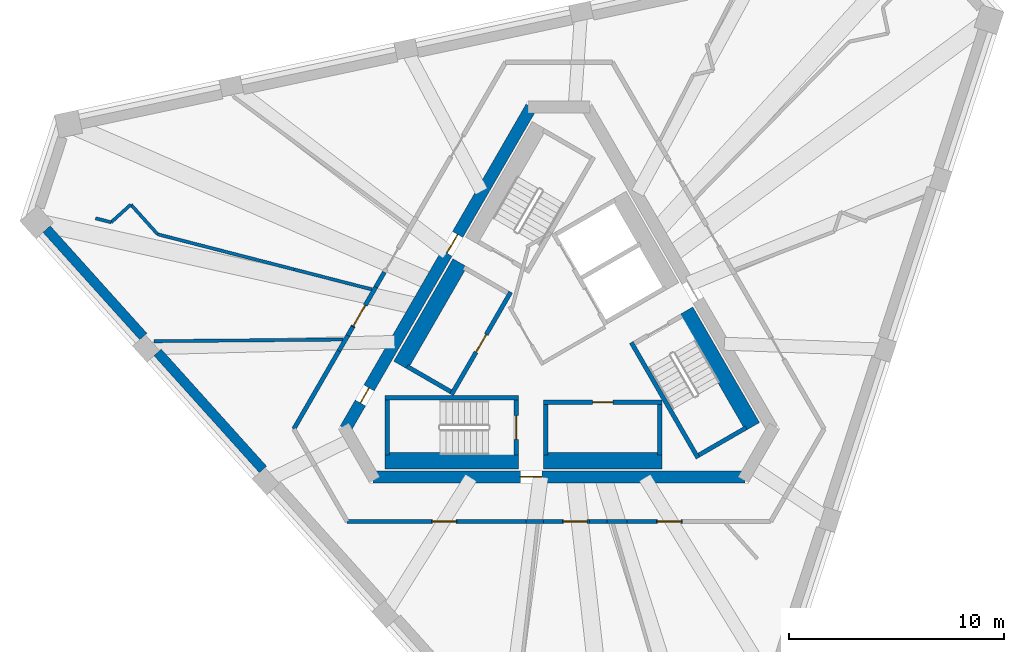
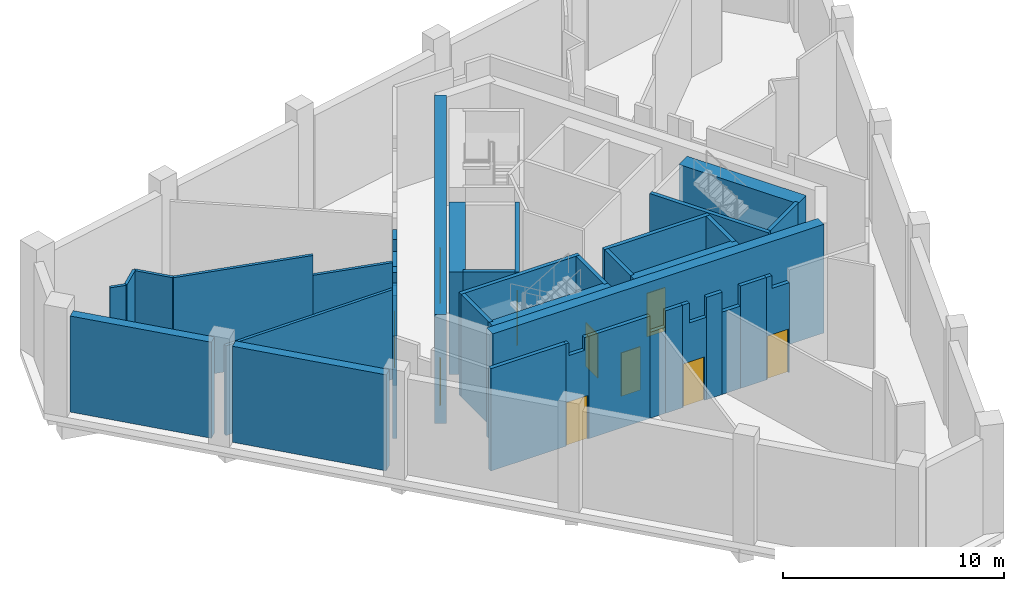
# One storey, part 2 of 5: 39 walls, 10 doors, 10 openings.
"""IFC4 building model written with IfcOpenShell, lengths in metres."""

from ifc_helpers import new_model, si_unit, direction, frame, frame_2d, origin, place, context, subcontext, project, spatial, polyline, rectangle, outline, extrude, material, layer, layer_set, type_object, element, fill, save


model = new_model("IFC4")

# Units and contexts
model_context = context("Model", 3, precision=1e-05, world=origin(), true_north=direction((0.0, 1.0)))
body_context = subcontext(model_context, "Body", "Model", "MODEL_VIEW")
ifc_project = project(units=[si_unit("LENGTHUNIT", "METRE"), si_unit("AREAUNIT", "SQUARE_METRE"), si_unit("VOLUMEUNIT", "CUBIC_METRE"), si_unit("PLANEANGLEUNIT", "RADIAN"), si_unit("MASSUNIT", "GRAM", prefix="KILO")], contexts=[model_context])

# Site, building, storey
site_placement = place(None, origin())
site = spatial("IfcSite", under=ifc_project, at=site_placement, CompositionType="ELEMENT")
building_placement = place(site_placement, origin())
building = spatial("IfcBuilding", under=site, at=building_placement, Name="Tramontana Tower", CompositionType="ELEMENT")
storey_placement = place(building_placement, frame((0.0, 0.0, 374.89990234375)))
storey = spatial("IfcBuildingStorey", under=building, at=storey_placement, Name="L86", CompositionType="ELEMENT", Elevation=374.89990234375)

# Wall, openings, doors
ifc_material_1 = material(Name="Concrete 70 MPa", Category="concrete")
ifc_layer_1 = layer(ifc_material_1, 0.550048828125)
ifc_layer_set_1 = layer_set([ifc_layer_1], Name="Core wall 550 70 MPa")
wall_type_1 = type_object("IfcWallType", Name="Core wall 550 70 MPa", PredefinedType="SHEAR", material=ifc_layer_set_1)
wall_1_placement = place(storey_placement, frame((-1.28466796875, 10.72509765625, 0.0), z_axis=(0.0, 0.0, 1.0), x_axis=(-0.499994590896, -0.86602852671, 0.0)))
wall_1 = element("IfcWall", 1, at=wall_1_placement, inside=storey, type_object=wall_type_1, Name="Core wall C1 L86", PredefinedType="SHEAR", context=body_context, shape_type="SweptSolid", body=[
    extrude(rectangle(XDim=17.291748046875, YDim=0.550048828125, at=frame_2d((8.64599609375, 0.0))), origin(), (0.0, 0.0, 1.0), 6.0),
])
opening_1_placement = place(wall_1_placement, frame((6.850830078125, 0.0, 0.0)))
opening_1 = element("IfcOpeningElement", 2, at=opening_1_placement, cuts=wall_1, Name="Opening RG1", PredefinedType="OPENING", context=body_context, shape_type="SweptSolid", body=[
    extrude(rectangle(XDim=1.0, YDim=2.39990234375, at=frame_2d((0.5, 1.199951171875))), frame((0.0, 0.284912109375, 0.0), z_axis=(0.0, -1.0, 0.0), x_axis=(1.0, 0.0, 0.0)), (0.0, 0.0, 1.0), 0.570068359375),
])
opening_2_placement = place(wall_1_placement, frame((15.0888671875, 0.0, 0.0)))
opening_2 = element("IfcOpeningElement", 3, at=opening_2_placement, cuts=wall_1, Name="Opening PD1", PredefinedType="OPENING", context=body_context, shape_type="SweptSolid", body=[
    extrude(rectangle(XDim=0.800048828125, YDim=2.10009765625, at=frame_2d((0.39990234375, 1.050048828125))), frame((0.0, 0.284912109375, 0.0), z_axis=(0.0, -1.0, 0.0), x_axis=(1.0, 0.0, 0.0)), (0.0, 0.0, 1.0), 0.570068359375),
])
ifc_material_2 = material(Name="Painted steel", Category="steel")
door_type_1 = type_object("IfcDoorType", Name="CUPBOARD DOOR 800", OperationType="SINGLE_SWING_LEFT", PredefinedType="DOOR", material=ifc_material_2)
door_1_placement = place(opening_2_placement, origin())
door_1 = element("IfcDoor", 4, at=door_1_placement, inside=storey, type_object=door_type_1, Name="Door PD1", OperationType="SINGLE_SWING_LEFT", OverallHeight=2.10009765625, OverallWidth=0.800048828125, PredefinedType="DOOR", context=body_context, shape_type="SweptSolid", body=[
    extrude(rectangle(XDim=0.800048828125, YDim=2.10009765625, at=frame_2d((0.39990234375, 1.050048828125))), frame((0.0, 0.02490234375, 0.0), z_axis=(0.0, -1.0, 0.0), x_axis=(1.0, 0.0, 0.0)), (0.0, 0.0, 1.0), 0.050048828125),
])
fill(opening_2, door_1)
ifc_material_3 = material(Name="Painted steel", Category="steel")
door_type_2 = type_object("IfcDoorType", Name="RING DOOR 1000", OperationType="SINGLE_SWING_LEFT", PredefinedType="DOOR", material=ifc_material_3)
door_2_placement = place(opening_1_placement, origin())
door_2 = element("IfcDoor", 5, at=door_2_placement, inside=storey, type_object=door_type_2, Name="Door RG1", OperationType="SINGLE_SWING_RIGHT", OverallHeight=2.39990234375, OverallWidth=1.0, PredefinedType="DOOR", context=body_context, shape_type="SweptSolid", body=[
    extrude(rectangle(XDim=1.0, YDim=2.39990234375, at=frame_2d((0.5, 1.199951171875))), frame((0.0, 0.02490234375, 0.0), z_axis=(0.0, -1.0, 0.0), x_axis=(1.0, 0.0, 0.0)), (0.0, 0.0, 1.0), 0.050048828125),
])
fill(opening_1, door_2)

# Wall, opening, door
wall_2_placement = place(storey_placement, frame((-8.645751953125, -6.47509765625, 0.0), z_axis=(0.0, 0.0, 1.0), x_axis=(1.0, 0.0, 0.0)))
wall_2 = element("IfcWall", 6, at=wall_2_placement, inside=storey, type_object=wall_type_1, Name="Core wall C3 L86", PredefinedType="SHEAR", context=body_context, shape_type="SweptSolid", body=[
    extrude(rectangle(XDim=17.29150390625, YDim=0.550048828125, at=frame_2d((8.645751953125, 0.0))), origin(), (0.0, 0.0, 1.0), 6.0),
])
opening_3_placement = place(wall_2_placement, frame((6.850830078125, 0.0, 0.0)))
opening_3 = element("IfcOpeningElement", 7, at=opening_3_placement, cuts=wall_2, Name="Opening RG2", PredefinedType="OPENING", context=body_context, shape_type="SweptSolid", body=[
    extrude(rectangle(XDim=1.0, YDim=2.39990234375, at=frame_2d((0.5, 1.199951171875))), frame((0.0, 0.284912109375, 0.0), z_axis=(0.0, -1.0, 0.0), x_axis=(1.0, 0.0, 0.0)), (0.0, 0.0, 1.0), 0.570068359375),
])
door_3_placement = place(opening_3_placement, origin())
door_3 = element("IfcDoor", 8, at=door_3_placement, inside=storey, type_object=door_type_2, Name="Door RG2", OperationType="SINGLE_SWING_LEFT", OverallHeight=2.39990234375, OverallWidth=1.0, PredefinedType="DOOR", context=body_context, shape_type="SweptSolid", body=[
    extrude(rectangle(XDim=1.0, YDim=2.39990234375, at=frame_2d((0.5, 1.199951171875))), frame((0.0, 0.02490234375, 0.0), z_axis=(0.0, -1.0, 0.0), x_axis=(1.0, 0.0, 0.0)), (0.0, 0.0, 1.0), 0.050048828125),
])
fill(opening_3, door_3)

ifc_material_4 = material(Name="Blockwork", Category="masonry")
ifc_layer_2 = layer(ifc_material_4, 0.199951171875)
ifc_layer_set_2 = layer_set([ifc_layer_2], Name="ENTRY WALL 200")
wall_type_2 = type_object("IfcWallType", Name="ENTRY WALL 200", PredefinedType="SOLIDWALL", material=ifc_layer_set_2)
wall_3_placement = place(storey_placement, frame((5.73291015625, -8.550048828125, 0.0), z_axis=(0.0, 0.0, 1.0), x_axis=(-1.0, 0.0, 0.0)))
wall_3 = element("IfcWall", 9, at=wall_3_placement, inside=storey, type_object=wall_type_2, Name="Wall ew1-1", PredefinedType="SOLIDWALL", context=body_context, shape_type="SweptSolid", body=[
    extrude(outline(polyline([(0.0, 0.0), (1.199951171875, 0.0), (1.199951171875, 5.650146484375), (0.904541015625, 5.650146484375), (0.904541015625, 4.9501953125), (0.0, 4.9501953125), (0.0, 0.0)])), frame((0.0, 0.10009765625, 0.0), z_axis=(0.0, -1.0, 0.0), x_axis=(1.0, 0.0, 0.0)), (0.0, 0.0, 1.0), 0.199951171875),
])
opening_4_placement = place(wall_3_placement, frame((0.050048828125, 0.0, 0.0)))
opening_4 = element("IfcOpeningElement", 10, at=opening_4_placement, cuts=wall_3, Name="Opening L86-06", PredefinedType="OPENING", context=body_context, shape_type="SweptSolid", body=[
    extrude(rectangle(XDim=1.10009765625, YDim=2.39990234375, at=frame_2d((0.550048828125, 1.199951171875))), frame((0.0, 0.10986328125, 0.0), z_axis=(0.0, -1.0, 0.0), x_axis=(1.0, 0.0, 0.0)), (0.0, 0.0, 1.0), 0.219970703125),
])
ifc_material_5 = material(Name="Painted timber", Category="wood")
door_type_3 = type_object("IfcDoorType", Name="DOOR ENTRY 1100", OperationType="SINGLE_SWING_LEFT", PredefinedType="DOOR", material=ifc_material_5)
door_4_placement = place(opening_4_placement, origin())
door_4 = element("IfcDoor", 11, at=door_4_placement, inside=storey, type_object=door_type_3, Name="Door L86-06", OperationType="SINGLE_SWING_LEFT", OverallHeight=2.39990234375, OverallWidth=1.10009765625, PredefinedType="DOOR", context=body_context, shape_type="SweptSolid", body=[
    extrude(rectangle(XDim=1.10009765625, YDim=2.39990234375, at=frame_2d((0.550048828125, 1.199951171875))), frame((0.0, 0.02490234375, 0.0), z_axis=(0.0, -1.0, 0.0), x_axis=(1.0, 0.0, 0.0)), (0.0, 0.0, 1.0), 0.050048828125),
])
fill(opening_4, door_4)

# Walls
wall_4_placement = place(storey_placement, frame((4.532958984375, -8.550048828125, 0.0), z_axis=(0.0, 0.0, 1.0), x_axis=(-1.0, 0.0, 0.0)))
element("IfcWall", 12, at=wall_4_placement, inside=storey, type_object=wall_type_2, Name="Wall ew1-2", PredefinedType="SOLIDWALL", context=body_context, shape_type="SweptSolid", body=[
    extrude(rectangle(XDim=1.360107421875, YDim=0.199951171875, at=frame_2d((0.68017578125, 0.0))), origin(), (0.0, 0.0, 1.0), 5.650146484375),
])
wall_5_placement = place(storey_placement, frame((3.1728515625, -8.550048828125, 0.0), z_axis=(0.0, 0.0, 1.0), x_axis=(-1.0, 0.0, 0.0)))
element("IfcWall", 13, at=wall_5_placement, inside=storey, type_object=wall_type_2, Name="Wall ew1-3", PredefinedType="SOLIDWALL", context=body_context, shape_type="SweptSolid", body=[
    extrude(rectangle(XDim=0.94384765625, YDim=0.199951171875, at=frame_2d((0.471923828125, 0.0))), origin(), (0.0, 0.0, 1.0), 4.550048828125),
])
wall_6_placement = place(storey_placement, frame((2.22900390625, -8.550048828125, 0.0), z_axis=(0.0, 0.0, 1.0), x_axis=(-1.0, 0.0, 0.0)))
element("IfcWall", 14, at=wall_6_placement, inside=storey, type_object=wall_type_2, Name="Wall ew1-4", PredefinedType="SOLIDWALL", context=body_context, shape_type="SweptSolid", body=[
    extrude(rectangle(XDim=0.806640625, YDim=0.199951171875, at=frame_2d((0.4033203125, 0.0))), origin(), (0.0, 0.0, 1.0), 5.650146484375),
])

# Wall, opening, door
wall_7_placement = place(storey_placement, frame((1.42236328125, -8.550048828125, 0.0), z_axis=(0.0, 0.0, 1.0), x_axis=(-1.0, 0.0, 0.0)))
wall_7 = element("IfcWall", 15, at=wall_7_placement, inside=storey, type_object=wall_type_2, Name="Wall ew1-5", PredefinedType="SOLIDWALL", context=body_context, shape_type="SweptSolid", body=[
    extrude(outline(polyline([(0.0, 0.0), (1.26318359375, 0.0), (1.262939453125, 5.650146484375), (0.90576171875, 5.650146484375), (0.90576171875, 4.550048828125), (0.0, 4.550048828125), (0.0, 0.0)])), frame((0.0, 0.10009765625, 0.0), z_axis=(0.0, -1.0, 0.0), x_axis=(1.0, 0.0, 0.0)), (0.0, 0.0, 1.0), 0.199951171875),
])
opening_5_placement = place(wall_7_placement, frame((0.113037109375, 0.0, 0.0)))
opening_5 = element("IfcOpeningElement", 16, at=opening_5_placement, cuts=wall_7, Name="Opening L86-05", PredefinedType="OPENING", context=body_context, shape_type="SweptSolid", body=[
    extrude(rectangle(XDim=1.10009765625, YDim=2.39990234375, at=frame_2d((0.550048828125, 1.199951171875))), frame((0.0, 0.10986328125, 0.0), z_axis=(0.0, -1.0, 0.0), x_axis=(1.0, 0.0, 0.0)), (0.0, 0.0, 1.0), 0.219970703125),
])
door_5_placement = place(opening_5_placement, origin())
door_5 = element("IfcDoor", 17, at=door_5_placement, inside=storey, type_object=door_type_3, Name="Door L86-05", OperationType="SINGLE_SWING_RIGHT", OverallHeight=2.39990234375, OverallWidth=1.10009765625, PredefinedType="DOOR", context=body_context, shape_type="SweptSolid", body=[
    extrude(rectangle(XDim=1.10009765625, YDim=2.39990234375, at=frame_2d((0.550048828125, 1.199951171875))), frame((0.0, 0.02490234375, 0.0), z_axis=(0.0, -1.0, 0.0), x_axis=(1.0, 0.0, 0.0)), (0.0, 0.0, 1.0), 0.050048828125),
])
fill(opening_5, door_5)

# Walls
wall_8_placement = place(storey_placement, frame((0.1591796875, -8.550048828125, 0.0), z_axis=(0.0, 0.0, 1.0), x_axis=(-1.0, 0.0, 0.0)))
element("IfcWall", 18, at=wall_8_placement, inside=storey, type_object=wall_type_2, Name="Wall ew1-6", PredefinedType="SOLIDWALL", context=body_context, shape_type="SweptSolid", body=[
    extrude(rectangle(XDim=0.880859375, YDim=0.199951171875, at=frame_2d((0.4404296875, 0.0))), origin(), (0.0, 0.0, 1.0), 5.650146484375),
])
wall_9_placement = place(storey_placement, frame((-0.7216796875, -8.550048828125, 0.0), z_axis=(0.0, 0.0, 1.0), x_axis=(-1.0, 0.0, 0.0)))
element("IfcWall", 19, at=wall_9_placement, inside=storey, type_object=wall_type_2, Name="Wall ew1-7", PredefinedType="SOLIDWALL", context=body_context, shape_type="SweptSolid", body=[
    extrude(rectangle(XDim=0.806884765625, YDim=0.199951171875, at=frame_2d((0.4033203125, 0.0))), origin(), (0.0, 0.0, 1.0), 4.75),
])
wall_10_placement = place(storey_placement, frame((-1.528564453125, -8.550048828125, 0.0), z_axis=(0.0, 0.0, 1.0), x_axis=(-1.0, 0.0, 0.0)))
element("IfcWall", 20, at=wall_10_placement, inside=storey, type_object=wall_type_2, Name="Wall ew1-8", PredefinedType="SOLIDWALL", context=body_context, shape_type="SweptSolid", body=[
    extrude(rectangle(XDim=3.205810546875, YDim=0.199951171875, at=frame_2d((1.60302734375, 0.0))), origin(), (0.0, 0.0, 1.0), 5.650146484375),
])

# Wall, opening, door
wall_11_placement = place(storey_placement, frame((-4.734375, -8.550048828125, 0.0), z_axis=(0.0, 0.0, 1.0), x_axis=(-1.0, 0.0, 0.0)))
wall_11 = element("IfcWall", 21, at=wall_11_placement, inside=storey, type_object=wall_type_2, Name="Wall ew1-9", PredefinedType="SOLIDWALL", context=body_context, shape_type="SweptSolid", body=[
    extrude(outline(polyline([(0.0, 0.0), (1.2001953125, 0.0), (1.199951171875, 5.650146484375), (1.043701171875, 5.650146484375), (1.043701171875, 4.9501953125), (0.21728515625, 4.9501953125), (0.21728515625, 5.650146484375), (0.0, 5.650146484375), (0.0, 0.0)])), frame((0.0, 0.10009765625, 0.0), z_axis=(0.0, -1.0, 0.0), x_axis=(1.0, 0.0, 0.0)), (0.0, 0.0, 1.0), 0.199951171875),
])
opening_6_placement = place(wall_11_placement, frame((0.050048828125, 0.0, 0.0)))
opening_6 = element("IfcOpeningElement", 22, at=opening_6_placement, cuts=wall_11, Name="Opening L86-04", PredefinedType="OPENING", context=body_context, shape_type="SweptSolid", body=[
    extrude(rectangle(XDim=1.10009765625, YDim=2.39990234375, at=frame_2d((0.550048828125, 1.199951171875))), frame((0.0, 0.10986328125, 0.0), z_axis=(0.0, -1.0, 0.0), x_axis=(1.0, 0.0, 0.0)), (0.0, 0.0, 1.0), 0.219970703125),
])
door_6_placement = place(opening_6_placement, origin())
door_6 = element("IfcDoor", 23, at=door_6_placement, inside=storey, type_object=door_type_3, Name="Door L86-04", OperationType="SINGLE_SWING_LEFT", OverallHeight=2.39990234375, OverallWidth=1.10009765625, PredefinedType="DOOR", context=body_context, shape_type="SweptSolid", body=[
    extrude(rectangle(XDim=1.10009765625, YDim=2.39990234375, at=frame_2d((0.550048828125, 1.199951171875))), frame((0.0, 0.02490234375, 0.0), z_axis=(0.0, -1.0, 0.0), x_axis=(1.0, 0.0, 0.0)), (0.0, 0.0, 1.0), 0.050048828125),
])
fill(opening_6, door_6)

# Walls
wall_12_placement = place(storey_placement, frame((-5.9345703125, -8.550048828125, 0.0), z_axis=(0.0, 0.0, 1.0), x_axis=(-1.0, 0.0, 0.0)))
element("IfcWall", 24, at=wall_12_placement, inside=storey, type_object=wall_type_2, Name="Wall ew1-10", PredefinedType="SOLIDWALL", context=body_context, shape_type="SweptSolid", body=[
    extrude(rectangle(XDim=3.9091796875, YDim=0.199951171875, at=frame_2d((1.95458984375, 0.0))), origin(), (0.0, 0.0, 1.0), 5.650146484375),
])
wall_13_placement = place(storey_placement, frame((-12.326416015625, -4.25, 0.0), z_axis=(0.0, 0.0, 1.0), x_axis=(0.499982771656, 0.866035350345, 0.0)))
element("IfcWall", 25, at=wall_13_placement, inside=storey, type_object=wall_type_2, Name="Wall ew3-0", PredefinedType="SOLIDWALL", context=body_context, shape_type="SweptSolid", body=[
    extrude(rectangle(XDim=4.194580078125, YDim=0.199951171875, at=frame_2d((2.09716796875, 0.0))), origin(), (0.0, 0.0, 1.0), 5.650146484375),
])
wall_14_placement = place(storey_placement, frame((-10.229248046875, -0.617431640625, 0.0), z_axis=(0.0, 0.0, 1.0), x_axis=(0.5001686003, 0.865928040471, 0.0)))
element("IfcWall", 26, at=wall_14_placement, inside=storey, type_object=wall_type_2, Name="Wall ew3-1", PredefinedType="SOLIDWALL", context=body_context, shape_type="SweptSolid", body=[
    extrude(rectangle(XDim=0.821044921875, YDim=0.199951171875, at=frame_2d((0.41064453125, 0.0))), origin(), (0.0, 0.0, 1.0), 4.9501953125),
])
wall_15_placement = place(storey_placement, frame((-9.818603515625, 0.093505859375, 0.0), z_axis=(0.0, 0.0, 1.0), x_axis=(0.500003887042, 0.866023159588, 0.0)))
element("IfcWall", 27, at=wall_15_placement, inside=storey, type_object=wall_type_2, Name="Wall ew3-2", PredefinedType="SOLIDWALL", context=body_context, shape_type="SweptSolid", body=[
    extrude(rectangle(XDim=0.4755859375, YDim=0.199951171875, at=frame_2d((0.23779296875, 0.0))), origin(), (0.0, 0.0, 1.0), 5.650146484375),
])

# Wall, opening, door
wall_16_placement = place(storey_placement, frame((-9.580810546875, 0.50537109375, 0.0), z_axis=(0.0, 0.0, 1.0), x_axis=(0.499984515995, 0.866034343295, 0.0)))
wall_16 = element("IfcWall", 28, at=wall_16_placement, inside=storey, type_object=wall_type_2, Name="Wall ew3-3", PredefinedType="SOLIDWALL", context=body_context, shape_type="SweptSolid", body=[
    extrude(outline(polyline([(0.0, 0.0), (2.12353515625, 0.0), (2.123779296875, 4.550048828125), (1.179931640625, 4.550048828125), (1.179931640625, 5.650146484375), (0.0, 5.650146484375), (0.0, 0.0)])), frame((0.0, 0.10009765625, 0.0), z_axis=(0.0, -1.0, 0.0), x_axis=(1.0, 0.0, 0.0)), (0.0, 0.0, 1.0), 0.199951171875),
])
opening_7_placement = place(wall_16_placement, frame((0.050048828125, 0.0, 0.0)))
opening_7 = element("IfcOpeningElement", 29, at=opening_7_placement, cuts=wall_16, Name="Opening L86-03", PredefinedType="OPENING", context=body_context, shape_type="SweptSolid", body=[
    extrude(rectangle(XDim=1.10009765625, YDim=2.39990234375, at=frame_2d((0.550048828125, 1.199951171875))), frame((0.0, 0.10986328125, 0.0), z_axis=(0.0, -1.0, 0.0), x_axis=(1.0, 0.0, 0.0)), (0.0, 0.0, 1.0), 0.219970703125),
])
door_7_placement = place(opening_7_placement, origin())
door_7 = element("IfcDoor", 30, at=door_7_placement, inside=storey, type_object=door_type_3, Name="Door L86-03", OperationType="SINGLE_SWING_RIGHT", OverallHeight=2.39990234375, OverallWidth=1.10009765625, PredefinedType="DOOR", context=body_context, shape_type="SweptSolid", body=[
    extrude(rectangle(XDim=1.10009765625, YDim=2.39990234375, at=frame_2d((0.550048828125, 1.199951171875))), frame((0.0, 0.02490234375, 0.0), z_axis=(0.0, -1.0, 0.0), x_axis=(1.0, 0.0, 0.0)), (0.0, 0.0, 1.0), 0.050048828125),
])
fill(opening_7, door_7)

# Walls
wall_17_placement = place(storey_placement, frame((-8.51904296875, 2.344482421875, 0.0), z_axis=(0.0, 0.0, 1.0), x_axis=(0.499914554297, 0.866074730264, 0.0)))
element("IfcWall", 31, at=wall_17_placement, inside=storey, type_object=wall_type_2, Name="Wall ew3-4", PredefinedType="SOLIDWALL", context=body_context, shape_type="SweptSolid", body=[
    extrude(rectangle(XDim=0.806884765625, YDim=0.199951171875, at=frame_2d((0.4033203125, 0.0))), origin(), (0.0, 0.0, 1.0), 5.650146484375),
])
ifc_material_6 = material(Name="Precast concrete 60 MPa", Category="concrete")
ifc_layer_3 = layer(ifc_material_6, 0.449951171875)
ifc_layer_set_3 = layer_set([ifc_layer_3], Name="Precast concrete 60 MPa, 450 mm")
wall_type_3 = type_object("IfcWallType", Name="EW1 Stone-faced precast wall 450", PredefinedType="SOLIDWALL", material=ifc_layer_set_3)
wall_18_placement = place(storey_placement, frame((-23.817138671875, 5.043212890625, 0.0), z_axis=(0.0, 0.0, 1.0), x_axis=(0.669137493687, -0.743138624041, 0.0)))
element("IfcWall", 32, at=wall_18_placement, inside=storey, type_object=wall_type_3, Name="Stone band wall L86 face 0s 1", PredefinedType="SOLIDWALL", context=body_context, shape_type="SweptSolid", body=[
    extrude(rectangle(XDim=6.7138671875, YDim=0.449951171875, at=frame_2d((3.35693359375, 0.0))), origin(), (0.0, 0.0, 1.0), 5.300048828125),
])
wall_19_placement = place(storey_placement, frame((-18.655517578125, -0.689208984375, 0.0), z_axis=(0.0, 0.0, 1.0), x_axis=(0.669117789535, -0.743156365598, 0.0)))
element("IfcWall", 33, at=wall_19_placement, inside=storey, type_object=wall_type_3, Name="Stone band wall L86 face 0s 2", PredefinedType="SOLIDWALL", context=body_context, shape_type="SweptSolid", body=[
    extrude(rectangle(XDim=7.313720703125, YDim=0.449951171875, at=frame_2d((3.65673828125, 0.0))), origin(), (0.0, 0.0, 1.0), 5.300048828125),
])
ifc_material_7 = material(Name="Gypsum board partition")
ifc_layer_4 = layer(ifc_material_7, 0.14990234375)
ifc_layer_set_4 = layer_set([ifc_layer_4], Name="PARTITION 150")
wall_type_4 = type_object("IfcWallType", Name="PARTITION 150", PredefinedType="PARTITIONING", material=ifc_layer_set_4)
wall_20_placement = place(storey_placement, frame((-20.81787109375, 5.360595703125, 0.0), z_axis=(0.0, 0.0, 1.0), x_axis=(-0.968404914067, 0.24938308365, 0.0)))
element("IfcWall", 34, at=wall_20_placement, inside=storey, type_object=wall_type_4, Name="Wall fw-pw00", PredefinedType="PARTITIONING", context=body_context, shape_type="SweptSolid", body=[
    extrude(rectangle(XDim=0.74609375, YDim=0.14990234375, at=frame_2d((0.373046875, 0.0))), origin(), (0.0, 0.0, 1.0), 5.650146484375),
])
wall_21_placement = place(storey_placement, frame((-19.90234375, 6.184814453125, 0.0), z_axis=(0.0, 0.0, 1.0), x_axis=(-0.74319559291, -0.669074219111, 0.0)))
element("IfcWall", 35, at=wall_21_placement, inside=storey, type_object=wall_type_4, Name="Wall fw-pw01", PredefinedType="PARTITIONING", context=body_context, shape_type="SweptSolid", body=[
    extrude(rectangle(XDim=1.23193359375, YDim=0.14990234375, at=frame_2d((0.615966796875, 0.0))), origin(), (0.0, 0.0, 1.0), 5.650146484375),
])
wall_22_placement = place(storey_placement, frame((-18.65625, 4.803955078125, 0.0), z_axis=(0.0, 0.0, 1.0), x_axis=(-0.669080876775, 0.743189599183, 0.0)))
element("IfcWall", 36, at=wall_22_placement, inside=storey, type_object=wall_type_4, Name="Wall fw-pw02", PredefinedType="PARTITIONING", context=body_context, shape_type="SweptSolid", body=[
    extrude(rectangle(XDim=1.85791015625, YDim=0.14990234375, at=frame_2d((0.928955078125, 0.0))), origin(), (0.0, 0.0, 1.0), 5.650146484375),
])
wall_23_placement = place(storey_placement, frame((-10.039794921875, -0.089111328125, 0.0), z_axis=(0.0, 0.0, 1.0), x_axis=(-0.999960441248, -0.00889471414, 0.0)))
element("IfcWall", 37, at=wall_23_placement, inside=storey, type_object=wall_type_4, Name="Wall fw-pw05-0", PredefinedType="PARTITIONING", context=body_context, shape_type="SweptSolid", body=[
    extrude(rectangle(XDim=8.783203125, YDim=0.14990234375, at=frame_2d((4.3916015625, 0.0))), origin(), (0.0, 0.0, 1.0), 4.9501953125),
])
wall_24_placement = place(storey_placement, frame((-8.695556640625, 2.239013671875, 0.0), z_axis=(0.0, 0.0, 1.0), x_axis=(-0.968413242645, 0.249350739864, 0.0)))
element("IfcWall", 38, at=wall_24_placement, inside=storey, type_object=wall_type_4, Name="Wall fw-pw06-0", PredefinedType="PARTITIONING", context=body_context, shape_type="SweptSolid", body=[
    extrude(rectangle(XDim=3.7392578125, YDim=0.14990234375, at=frame_2d((1.86962890625, 0.0))), origin(), (0.0, 0.0, 1.0), 4.550048828125),
])
wall_25_placement = place(storey_placement, frame((-12.316650390625, 3.17138671875, 0.0), z_axis=(0.0, 0.0, 1.0), x_axis=(-0.9684026585, 0.249391842309, 0.0)))
element("IfcWall", 39, at=wall_25_placement, inside=storey, type_object=wall_type_4, Name="Wall fw-pw06-1", PredefinedType="PARTITIONING", context=body_context, shape_type="SweptSolid", body=[
    extrude(rectangle(XDim=6.546142578125, YDim=0.14990234375, at=frame_2d((3.27294921875, 0.0))), origin(), (0.0, 0.0, 1.0), 5.650146484375),
])
ifc_material_8 = material(Name="Concrete 70 MPa", Category="concrete")
ifc_layer_5 = layer(ifc_material_8, 0.75)
ifc_layer_set_5 = layer_set([ifc_layer_5], Name="Concrete 70 MPa, 750 mm")
wall_type_5 = type_object("IfcWallType", Name="RC SHAFT BACK WALL 750", PredefinedType="SOLIDWALL", material=ifc_layer_set_5)
wall_26_placement = place(storey_placement, frame((-8.080078125, -5.72509765625, 0.0), z_axis=(0.0, 0.0, 1.0), x_axis=(1.0, 0.0, 0.0)))
element("IfcWall", 40, at=wall_26_placement, inside=storey, type_object=wall_type_5, Name="Wall st2-back", PredefinedType="SOLIDWALL", context=body_context, shape_type="SweptSolid", body=[
    extrude(rectangle(XDim=6.2001953125, YDim=0.75, at=frame_2d((3.10009765625, 0.0))), origin(), (0.0, 0.0, 1.0), 5.650146484375),
])
wall_27_placement = place(storey_placement, frame((8.998046875, -4.135009765625, 0.0), z_axis=(0.0, 0.0, 1.0), x_axis=(-0.500009909098, 0.866019682689, 0.0)))
element("IfcWall", 41, at=wall_27_placement, inside=storey, type_object=wall_type_5, Name="Wall st3-back", PredefinedType="SOLIDWALL", context=body_context, shape_type="SweptSolid", body=[
    extrude(rectangle(XDim=6.199951171875, YDim=0.75, at=frame_2d((3.10009765625, 0.0))), origin(), (0.0, 0.0, 1.0), 5.650146484375),
])
wall_28_placement = place(storey_placement, frame((-4.60302734375, 3.477294921875, 0.0), z_axis=(0.0, 0.0, 1.0), x_axis=(-0.500015767406, -0.866016300277, 0.0)))
element("IfcWall", 42, at=wall_28_placement, inside=storey, type_object=wall_type_5, Name="Wall row0-back", PredefinedType="SOLIDWALL", context=body_context, shape_type="SweptSolid", body=[
    extrude(rectangle(XDim=5.499755859375, YDim=0.75, at=frame_2d((2.75, 0.0))), origin(), (0.0, 0.0, 1.0), 5.650146484375),
])
wall_29_placement = place(storey_placement, frame((-0.7099609375, -5.72509765625, 0.0), z_axis=(0.0, 0.0, 1.0), x_axis=(1.0, 0.0, 0.0)))
element("IfcWall", 43, at=wall_29_placement, inside=storey, type_object=wall_type_5, Name="Wall row1-back", PredefinedType="SOLIDWALL", context=body_context, shape_type="SweptSolid", body=[
    extrude(rectangle(XDim=5.5, YDim=0.75, at=frame_2d((2.75, 0.0))), origin(), (0.0, 0.0, 1.0), 5.650146484375),
])
ifc_material_9 = material(Name="Concrete 70 MPa", Category="concrete")
ifc_layer_6 = layer(ifc_material_9, 0.199951171875)
ifc_layer_set_6 = layer_set([ifc_layer_6], Name="Concrete 70 MPa, 200 mm")
wall_type_6 = type_object("IfcWallType", Name="RC STAIR AND SHAFT WALL 200", PredefinedType="SOLIDWALL", material=ifc_layer_set_6)
wall_30_placement = place(storey_placement, frame((-8.080078125, -2.800048828125, 0.0), z_axis=(0.0, 0.0, 1.0), x_axis=(1.0, 0.0, 0.0)))
element("IfcWall", 44, at=wall_30_placement, inside=storey, type_object=wall_type_6, Name="Wall st2-front", PredefinedType="SOLIDWALL", context=body_context, shape_type="SweptSolid", body=[
    extrude(rectangle(XDim=6.2001953125, YDim=0.199951171875, at=frame_2d((3.10009765625, 0.0))), origin(), (0.0, 0.0, 1.0), 5.650146484375),
])
wall_31_placement = place(storey_placement, frame((-7.97998046875, -2.89990234375, 0.0), z_axis=(0.0, 0.0, 1.0), x_axis=(0.0, -1.0, 0.0)))
element("IfcWall", 45, at=wall_31_placement, inside=storey, type_object=wall_type_6, Name="Wall st2-far", PredefinedType="SOLIDWALL", context=body_context, shape_type="SweptSolid", body=[
    extrude(rectangle(XDim=2.550048828125, YDim=0.199951171875, at=frame_2d((1.27490234375, 0.0))), origin(), (0.0, 0.0, 1.0), 5.650146484375),
])

# Wall, opening, door
wall_32_placement = place(storey_placement, frame((-1.97998046875, -2.89990234375, 0.0), z_axis=(0.0, 0.0, 1.0), x_axis=(0.0, -1.0, 0.0)))
wall_32 = element("IfcWall", 46, at=wall_32_placement, inside=storey, type_object=wall_type_6, Name="Wall st2-near", PredefinedType="SOLIDWALL", context=body_context, shape_type="SweptSolid", body=[
    extrude(rectangle(XDim=2.550048828125, YDim=0.199951171875, at=frame_2d((1.27490234375, 0.0))), origin(), (0.0, 0.0, 1.0), 5.650146484375),
])
opening_8_placement = place(wall_32_placement, frame((0.72509765625, 0.0, 0.0)))
opening_8 = element("IfcOpeningElement", 47, at=opening_8_placement, cuts=wall_32, Name="Opening SD2", PredefinedType="OPENING", context=body_context, shape_type="SweptSolid", body=[
    extrude(rectangle(XDim=1.10009765625, YDim=2.39990234375, at=frame_2d((0.550048828125, 1.199951171875))), frame((0.0, 0.10986328125, 0.0), z_axis=(0.0, -1.0, 0.0), x_axis=(1.0, 0.0, 0.0)), (0.0, 0.0, 1.0), 0.219970703125),
])
ifc_material_10 = material(Name="Painted steel", Category="steel")
door_type_4 = type_object("IfcDoorType", Name="STAIR DOOR 1100", OperationType="SINGLE_SWING_LEFT", PredefinedType="DOOR", material=ifc_material_10)
door_8_placement = place(opening_8_placement, origin())
door_8 = element("IfcDoor", 48, at=door_8_placement, inside=storey, type_object=door_type_4, Name="Door SD2", OperationType="SINGLE_SWING_LEFT", OverallHeight=2.39990234375, OverallWidth=1.10009765625, PredefinedType="DOOR", context=body_context, shape_type="SweptSolid", body=[
    extrude(rectangle(XDim=1.10009765625, YDim=2.39990234375, at=frame_2d((0.550048828125, 1.199951171875))), frame((0.0, 0.02490234375, 0.0), z_axis=(0.0, -1.0, 0.0), x_axis=(1.0, 0.0, 0.0)), (0.0, 0.0, 1.0), 0.050048828125),
])
fill(opening_8, door_8)

# Walls
wall_33_placement = place(storey_placement, frame((6.46484375, -5.597412109375, 0.0), z_axis=(0.0, 0.0, 1.0), x_axis=(-0.49998037582, 0.866036733513, 0.0)))
element("IfcWall", 49, at=wall_33_placement, inside=storey, type_object=wall_type_6, Name="Wall st3-front", PredefinedType="SOLIDWALL", context=body_context, shape_type="SweptSolid", body=[
    extrude(rectangle(XDim=6.199951171875, YDim=0.199951171875, at=frame_2d((3.10009765625, 0.0))), origin(), (0.0, 0.0, 1.0), 5.650146484375),
])
wall_34_placement = place(storey_placement, frame((6.50146484375, -5.4609375, 0.0), z_axis=(0.0, 0.0, 1.0), x_axis=(0.865989465428, 0.500062241894, 0.0)))
element("IfcWall", 50, at=wall_34_placement, inside=storey, type_object=wall_type_6, Name="Wall st3-far", PredefinedType="SOLIDWALL", context=body_context, shape_type="SweptSolid", body=[
    extrude(rectangle(XDim=2.550048828125, YDim=0.199951171875, at=frame_2d((1.27490234375, 0.0))), origin(), (0.0, 0.0, 1.0), 5.650146484375),
])

# Wall, opening, door
wall_35_placement = place(storey_placement, frame((-4.9931640625, -2.648193359375, 0.0), z_axis=(0.0, 0.0, 1.0), x_axis=(0.499996545922, 0.866027397988, 0.0)))
wall_35 = element("IfcWall", 51, at=wall_35_placement, inside=storey, type_object=wall_type_6, Name="Wall row0-front", PredefinedType="SOLIDWALL", context=body_context, shape_type="SweptSolid", body=[
    extrude(rectangle(XDim=5.5, YDim=0.199951171875, at=frame_2d((2.75, 0.0))), origin(), (0.0, 0.0, 1.0), 5.650146484375),
])
opening_9_placement = place(wall_35_placement, frame((2.27490234375, 0.0, 0.0)))
opening_9 = element("IfcOpeningElement", 52, at=opening_9_placement, cuts=wall_35, Name="Opening RD-0", PredefinedType="OPENING", context=body_context, shape_type="SweptSolid", body=[
    extrude(rectangle(XDim=0.949951171875, YDim=2.39990234375, at=frame_2d((0.47509765625, 1.199951171875))), frame((0.0, 0.10986328125, 0.0), z_axis=(0.0, -1.0, 0.0), x_axis=(1.0, 0.0, 0.0)), (0.0, 0.0, 1.0), 0.219970703125),
])
ifc_material_11 = material(Name="Painted timber", Category="wood")
door_type_5 = type_object("IfcDoorType", Name="DOOR ROOM 950", OperationType="SINGLE_SWING_LEFT", PredefinedType="DOOR", material=ifc_material_11)
door_9_placement = place(opening_9_placement, origin())
door_9 = element("IfcDoor", 53, at=door_9_placement, inside=storey, type_object=door_type_5, Name="Door RD-0", OperationType="SINGLE_SWING_LEFT", OverallHeight=2.39990234375, OverallWidth=0.949951171875, PredefinedType="DOOR", context=body_context, shape_type="SweptSolid", body=[
    extrude(rectangle(XDim=0.949951171875, YDim=2.39990234375, at=frame_2d((0.47509765625, 1.199951171875))), frame((0.0, 0.02490234375, 0.0), z_axis=(0.0, -1.0, 0.0), x_axis=(1.0, 0.0, 0.0)), (0.0, 0.0, 1.0), 0.050048828125),
])
fill(opening_9, door_9)

# Wall
wall_36_placement = place(storey_placement, frame((-5.02978515625, -2.51171875, 0.0), z_axis=(0.0, 0.0, 1.0), x_axis=(-0.866016039709, 0.500016218704, 0.0)))
element("IfcWall", 54, at=wall_36_placement, inside=storey, type_object=wall_type_6, Name="Wall row0-side2", PredefinedType="SOLIDWALL", context=body_context, shape_type="SweptSolid", body=[
    extrude(rectangle(XDim=2.35009765625, YDim=0.199951171875, at=frame_2d((1.175048828125, 0.0))), origin(), (0.0, 0.0, 1.0), 5.650146484375),
])

# Wall, opening, door
wall_37_placement = place(storey_placement, frame((4.7900390625, -3.0, 0.0), z_axis=(0.0, 0.0, 1.0), x_axis=(-1.0, 0.0, 0.0)))
wall_37 = element("IfcWall", 55, at=wall_37_placement, inside=storey, type_object=wall_type_6, Name="Wall row1-front", PredefinedType="SOLIDWALL", context=body_context, shape_type="SweptSolid", body=[
    extrude(rectangle(XDim=5.5, YDim=0.199951171875, at=frame_2d((2.75, 0.0))), origin(), (0.0, 0.0, 1.0), 5.650146484375),
])
opening_10_placement = place(wall_37_placement, frame((2.27490234375, 0.0, 0.0)))
opening_10 = element("IfcOpeningElement", 56, at=opening_10_placement, cuts=wall_37, Name="Opening RD-1", PredefinedType="OPENING", context=body_context, shape_type="SweptSolid", body=[
    extrude(rectangle(XDim=0.949951171875, YDim=2.39990234375, at=frame_2d((0.47509765625, 1.199951171875))), frame((0.0, 0.10986328125, 0.0), z_axis=(0.0, -1.0, 0.0), x_axis=(1.0, 0.0, 0.0)), (0.0, 0.0, 1.0), 0.219970703125),
])
door_10_placement = place(opening_10_placement, origin())
door_10 = element("IfcDoor", 57, at=door_10_placement, inside=storey, type_object=door_type_5, Name="Door RD-1", OperationType="SINGLE_SWING_RIGHT", OverallHeight=2.39990234375, OverallWidth=0.949951171875, PredefinedType="DOOR", context=body_context, shape_type="SweptSolid", body=[
    extrude(rectangle(XDim=0.949951171875, YDim=2.39990234375, at=frame_2d((0.47509765625, 1.199951171875))), frame((0.0, 0.02490234375, 0.0), z_axis=(0.0, -1.0, 0.0), x_axis=(1.0, 0.0, 0.0)), (0.0, 0.0, 1.0), 0.050048828125),
])
fill(opening_10, door_10)

# Walls
for number, where, z_axis, x_axis, name in (
    (58, (-0.610107421875, -3.10009765625, 0.0), (0.0, 0.0, 1.0), (0.0, -1.0, 0.0), "Wall row1-side0"),
    (59, (4.68994140625, -3.10009765625, 0.0), (0.0, 0.0, 1.0), (0.0, -1.0, 0.0), "Wall row1-side2"),
):
    element("IfcWall", number, at=place(storey_placement, frame(where, z_axis=z_axis, x_axis=x_axis)), inside=storey, type_object=wall_type_6, Name=name, PredefinedType="SOLIDWALL", context=body_context, shape_type="SweptSolid", body=[
        extrude(rectangle(XDim=2.349853515625, YDim=0.199951171875, at=frame_2d((1.1748046875, 0.0))), origin(), (0.0, 0.0, 1.0), 5.650146484375),
    ])

save(model, "model.ifc")
